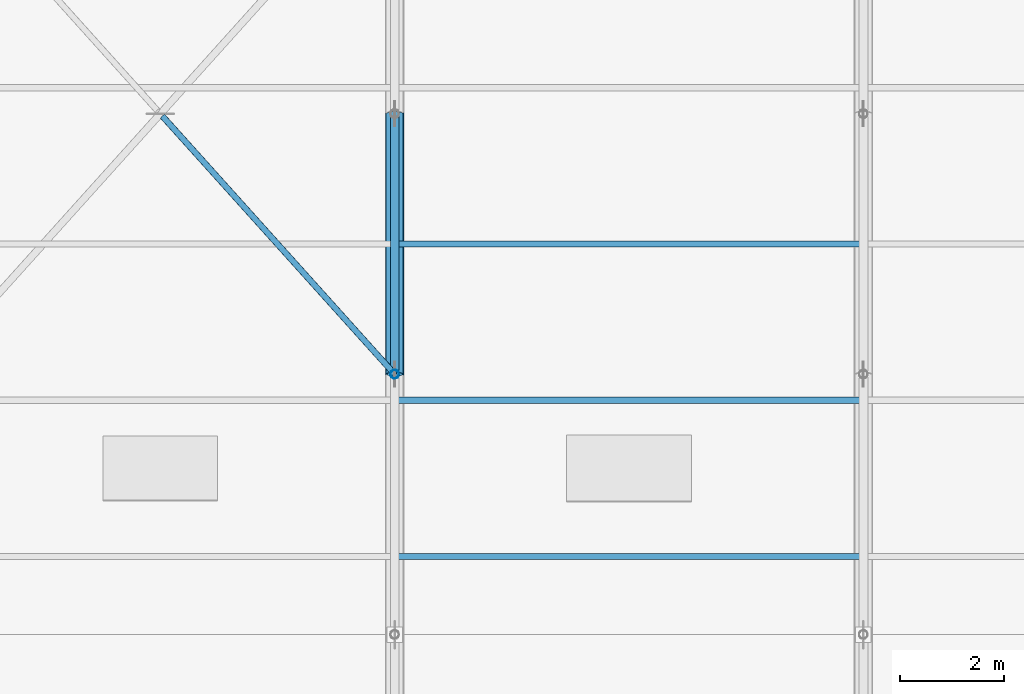
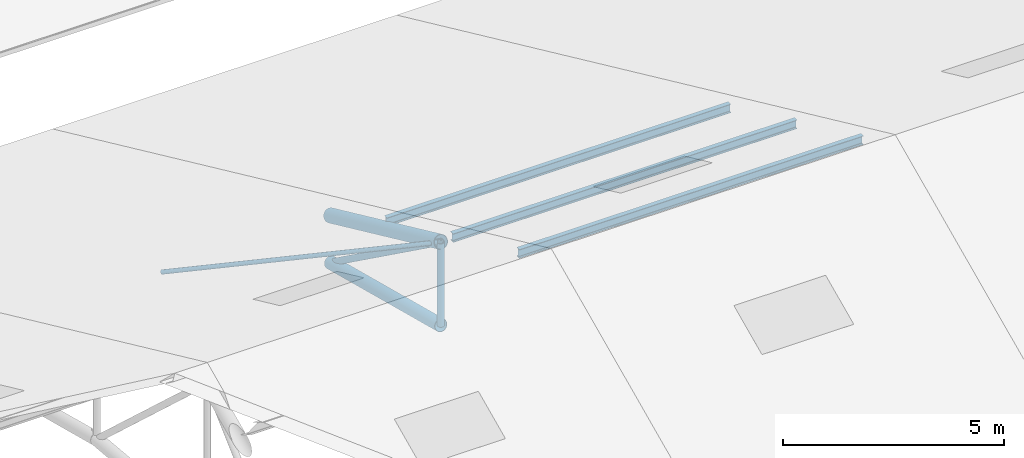
# One storey, part 23 of 107: 8 members.
"""IFC4 building model written with IfcOpenShell, lengths in metres."""

import ifcopenshell
import ifcopenshell.guid

model = None  # the IFC model being written
_history = None  # IfcOwnerHistory: only IFC2X3 demands one
_inside = {}  # id of a spatial element -> (the spatial element, [elements in it])
_under = {}  # id of a project, library or spatial element -> (it, [spatial elements below it])
_declared = {}  # id of a project -> (the project, [libraries it declares])
_typed = {}  # id of a type object -> (the type object, [elements of that type])
_made_of = {}  # id of a material, layer set ... -> (it, [elements and type objects made of it])


def new_model(schema):
    """Start an empty IFC model of exactly this schema.

    Asked for "IFC4X3", IfcOpenShell would pick the latest addendum, in which some entities
    have other attributes; the version numbers below select the first issue.
    IFC2X3 requires an IfcOwnerHistory on every rooted entity: one is made here for all.
    """
    global model, _history
    if schema == "IFC4X3":
        model = ifcopenshell.file(schema_version=(4, 3, 0, 0))
    else:
        model = ifcopenshell.file(schema=schema)
    _inside.clear()
    _under.clear()
    _declared.clear()
    _typed.clear()
    _made_of.clear()
    _history = None
    if model.schema == "IFC2X3":
        org = make("IfcOrganization", Name="unknown")
        user = make(
            "IfcPersonAndOrganization",
            ThePerson=make("IfcPerson", FamilyName="unknown"),
            TheOrganization=org,
        )
        app = make(
            "IfcApplication",
            ApplicationDeveloper=org,
            Version="unknown",
            ApplicationFullName="unknown",
            ApplicationIdentifier="unknown",
        )
        _history = make(
            "IfcOwnerHistory",
            OwningUser=user,
            OwningApplication=app,
            ChangeAction="ADDED",
            CreationDate=0,
        )
    return model


def make(cls, **values):
    """One entity of the class cls with the attributes given. An attribute that is None is left unset."""
    return model.create_entity(
        cls, **{name: value for name, value in values.items() if value is not None}
    )


def rooted(cls, **values):
    """An entity with a GlobalId (a new one), such as an element, a storey or a relation."""
    return make(cls, GlobalId=ifcopenshell.guid.new(), OwnerHistory=_history, **values)


def si_unit(unit_type, name, prefix=None):
    """IfcSIUnit, for example si_unit("LENGTHUNIT", "METRE", prefix="MILLI")."""
    return make("IfcSIUnit", UnitType=unit_type, Prefix=prefix, Name=name)


def derived_unit(unit_type, elements):
    """IfcDerivedUnit: a product of units, each with its exponent."""
    return make(
        "IfcDerivedUnit",
        Elements=[
            make("IfcDerivedUnitElement", Unit=unit, Exponent=power)
            for unit, power in elements
        ],
        UnitType=unit_type,
    )


def assignment(units):
    """IfcUnitAssignment: the units of a project."""
    return None if units is None else make("IfcUnitAssignment", Units=units)


def point(xyz):
    """IfcCartesianPoint."""
    return None if xyz is None else make("IfcCartesianPoint", Coordinates=xyz)


def direction(xyz):
    """IfcDirection."""
    return None if xyz is None else make("IfcDirection", DirectionRatios=xyz)


def frame(location, z_axis=None, x_axis=None):
    """IfcAxis2Placement3D, a coordinate frame: its origin and axes. An axis left out is left unset."""
    return make(
        "IfcAxis2Placement3D",
        Location=point(location),
        Axis=direction(z_axis),
        RefDirection=direction(x_axis),
    )


def frame_2d(location, x_axis=None):
    """IfcAxis2Placement2D, a coordinate frame in the plane: its origin and x axis."""
    return make(
        "IfcAxis2Placement2D", Location=point(location), RefDirection=direction(x_axis)
    )


def origin():
    """The frame at (0, 0, 0) with its axes left unset."""
    return frame((0.0, 0.0, 0.0))


def origin_2d():
    """The frame at (0, 0) in the plane with its x axis left unset."""
    return frame_2d((0.0, 0.0))


def place(relative_to, where):
    """IfcLocalPlacement: puts the frame where relative to a parent placement (None: the world)."""
    return make(
        "IfcLocalPlacement", PlacementRelTo=relative_to, RelativePlacement=where
    )


def context(
    kind, dimensions, precision=None, world=None, true_north=None, identifier=None
):
    """IfcGeometricRepresentationContext, for example the 3D "Model" context."""
    return make(
        "IfcGeometricRepresentationContext",
        ContextIdentifier=identifier,
        ContextType=kind,
        CoordinateSpaceDimension=dimensions,
        Precision=precision,
        WorldCoordinateSystem=world,
        TrueNorth=true_north,
    )


def subcontext(parent, identifier, kind, view, scale=None):
    """IfcGeometricRepresentationSubContext, for example "Body" below "Model"."""
    return make(
        "IfcGeometricRepresentationSubContext",
        ContextIdentifier=identifier,
        ContextType=kind,
        ParentContext=parent,
        TargetScale=scale,
        TargetView=view,
    )


def project(units=None, contexts=None):
    """IfcProject with its units and contexts."""
    return rooted(
        "IfcProject",
        Name="project",
        RepresentationContexts=contexts,
        UnitsInContext=assignment(units),
    )


def spatial(cls, under=None, at=None, **own):
    """A site, building, storey or space (cls), placed at a placement, below another one or the project."""
    s = rooted(cls, ObjectPlacement=at, **own)
    if under is not None:
        _under.setdefault(under.id(), (under, []))[1].append(s)
    return s


def profile(cls, at=None, kind="AREA", **sizes):
    """A parametric profile (cls). Its sizes go by their IFC names, for example OverallWidth=200.0."""
    return make(cls, ProfileType=kind, Position=at, **sizes)


def hollow_circle(**sizes):
    """IfcCircleHollowProfileDef."""
    return profile("IfcCircleHollowProfileDef", **sizes)


def i_section(**sizes):
    """IfcIShapeProfileDef."""
    return profile("IfcIShapeProfileDef", **sizes)


def extrude(swept, where, along, depth):
    """IfcExtrudedAreaSolid: the profile swept, set in the frame where, extruded along a direction by depth."""
    return make(
        "IfcExtrudedAreaSolid",
        SweptArea=swept,
        Position=where,
        ExtrudedDirection=direction(along),
        Depth=depth,
    )


def shape(context_of_items, identifier, shape_type, items):
    """IfcShapeRepresentation: the items that make up one representation, for example the "Body"."""
    return make(
        "IfcShapeRepresentation",
        ContextOfItems=context_of_items,
        RepresentationIdentifier=identifier,
        RepresentationType=shape_type,
        Items=items,
    )


def material(Name=None, Category=None):
    """IfcMaterial."""
    return make("IfcMaterial", Name=Name, Category=Category)


def material_profile(
    of_material, cross_section, Name=None, Category=None, Priority=None
):
    """IfcMaterialProfile: a cross section and its material."""
    return make(
        "IfcMaterialProfile",
        Name=Name,
        Material=of_material,
        Profile=cross_section,
        Priority=Priority,
        Category=Category,
    )


def profile_set(profiles, Name=None, composite=None):
    """IfcMaterialProfileSet."""
    return make(
        "IfcMaterialProfileSet",
        Name=Name,
        MaterialProfiles=profiles,
        CompositeProfile=composite,
    )


def made_of(thing, what):
    """Note that an element or type object is made of a material, layer set ...; save() writes the relation."""
    if what is not None:
        _made_of.setdefault(what.id(), (what, []))[1].append(thing)
    return thing


def type_object(cls, material=None, **own):
    """A type object (cls), such as IfcWallType, which elements share."""
    return made_of(rooted(cls, **own), material)


def element(
    cls,
    number,
    at=None,
    inside=None,
    cuts=None,
    type_object=None,
    material=None,
    context=None,
    identifier="Body",
    shape_type=None,
    held_by="IfcProductDefinitionShape",
    body=None,
    shapes=None,
    **own,
):
    """One element of the class cls, such as IfcWall. Its Tag is "e" and its number.

    at: its placement. inside: the storey or other place that contains it. cuts: it is an
    opening in that element (IfcRelVoidsElement). A single representation is given by context,
    identifier, shape_type and body (its items); several are given by shapes. held_by: the class
    of the entity that holds the representations. save() writes the other relations.
    """
    e = rooted(cls, Tag="e%d" % number, ObjectPlacement=at, **own)
    if body is not None:
        shapes = [shape(context, identifier, shape_type, body)]
    if shapes is not None:
        e.Representation = make(held_by, Representations=shapes)
    if inside is not None:
        _inside.setdefault(inside.id(), (inside, []))[1].append(e)
    if cuts is not None:
        rooted(
            "IfcRelVoidsElement", RelatingBuildingElement=cuts, RelatedOpeningElement=e
        )
    if type_object is not None:
        _typed.setdefault(type_object.id(), (type_object, []))[1].append(e)
    return made_of(e, material)


def aggregate(whole, parts):
    """IfcRelAggregates: a whole, such as a stair, and the parts it consists of."""
    return rooted("IfcRelAggregates", RelatingObject=whole, RelatedObjects=parts)


def save(model, path):
    """Write the relations noted so far, then the file.

    IfcRelAggregates (storeys below a building ...), IfcRelContainedInSpatialStructure (elements
    in a storey), IfcRelDefinesByType, IfcRelAssociatesMaterial and IfcRelDeclares: one each for
    every whole, place, type object, material and project.
    """
    for whole, parts in _under.values():
        aggregate(whole, parts)
    for where, things in _inside.values():
        rooted(
            "IfcRelContainedInSpatialStructure",
            RelatedElements=things,
            RelatingStructure=where,
        )
    for kind, things in _typed.values():
        rooted("IfcRelDefinesByType", RelatedObjects=things, RelatingType=kind)
    for what, things in _made_of.values():
        rooted("IfcRelAssociatesMaterial", RelatedObjects=things, RelatingMaterial=what)
    for by, libraries in _declared.values():
        rooted("IfcRelDeclares", RelatingContext=by, RelatedDefinitions=libraries)
    model.write(path)


model = new_model("IFC4")

# Units and contexts
model_context = context("Model", 3, precision=1e-05, world=origin(), true_north=direction((0.0, 1.0)))
body_context = subcontext(model_context, "Body", "Model", "MODEL_VIEW")
ifc_project = project(units=[si_unit("LENGTHUNIT", "METRE"), si_unit("AREAUNIT", "SQUARE_METRE"), si_unit("VOLUMEUNIT", "CUBIC_METRE"), si_unit("PLANEANGLEUNIT", "RADIAN"), si_unit("MASSUNIT", "GRAM", prefix="KILO"), si_unit("THERMODYNAMICTEMPERATUREUNIT", "KELVIN"), si_unit("TIMEUNIT", "SECOND"), derived_unit("THERMALTRANSMITTANCEUNIT", [(si_unit("MASSUNIT", "GRAM", prefix="KILO"), 1), (si_unit("THERMODYNAMICTEMPERATUREUNIT", "KELVIN"), -1), (si_unit("TIMEUNIT", "SECOND"), -3)])], contexts=[model_context])

# Site, building, storey
site_placement = place(None, origin())
site = spatial("IfcSite", under=ifc_project, at=site_placement, CompositionType="ELEMENT")
building_placement = place(site_placement, origin())
building = spatial("IfcBuilding", under=site, at=building_placement, Name="Cambertide Market Hall", CompositionType="ELEMENT")
storey_placement = place(building_placement, frame((0.0, 0.0, 18.300048828125)))
storey = spatial("IfcBuildingStorey", under=building, at=storey_placement, Name="RF", CompositionType="ELEMENT", Elevation=18.300048828125)

# Members
ifc_material_1 = material(Name="Steel S355", Category="steel")
ifc_material_profile_1 = material_profile(ifc_material_1, hollow_circle(Radius=0.161865234375, WallThickness=0.010009765625, at=origin_2d()), Name="CHS 323.9x10")
ifc_profile_set_1 = profile_set([ifc_material_profile_1], Name="Steel S355")
member_type_1 = type_object("IfcMemberType", Name="Arched Truss Chord CHS 323.9x10", PredefinedType="CHORD", material=ifc_profile_set_1)
member_1_placement = place(storey_placement, frame((78.0, 77.0, -4.955322265625), z_axis=(0.0, 0.968015607618, -0.250889982678), x_axis=(-1.0, 0.0, 0.0)))
element("IfcMember", 1, at=member_1_placement, inside=storey, type_object=member_type_1, Name="Roof Truss 5 Arched Bottom Chord 6", PredefinedType="CHORD", context=body_context, shape_type="SweptSolid", body=[
    extrude(hollow_circle(Radius=0.161865234375, WallThickness=0.010009765625, at=origin_2d()), origin(), (0.0, 0.0, 1.0), 5.165283203125),
])
ifc_material_2 = material(Name="Steel S355", Category="steel")
ifc_material_profile_2 = material_profile(ifc_material_2, hollow_circle(Radius=0.177734375, WallThickness=0.012451171875, at=origin_2d()), Name="CHS 355.6x12.5")
ifc_profile_set_2 = profile_set([ifc_material_profile_2], Name="Steel S355")
member_type_2 = type_object("IfcMemberType", Name="Arched Truss Chord CHS 355.6x12.5", PredefinedType="CHORD", material=ifc_profile_set_2)
member_2_placement = place(storey_placement, frame((78.0, 77.0, -2.650146484375), z_axis=(0.0, 0.908503925861, -0.417876317461), x_axis=(-1.0, 0.0, 0.0)))
element("IfcMember", 2, at=member_2_placement, inside=storey, type_object=member_type_2, Name="Roof Truss 5 Top Chord 6", PredefinedType="CHORD", context=body_context, shape_type="SweptSolid", body=[
    extrude(hollow_circle(Radius=0.177734375, WallThickness=0.012451171875, at=origin_2d()), origin(), (0.0, 0.0, 1.0), 5.503662109375),
])
ifc_material_3 = material(Name="Steel S275", Category="steel")
ifc_material_profile_3 = material_profile(ifc_material_3, i_section(OverallWidth=0.1201171875, OverallDepth=0.239990234375, WebThickness=0.006103515625, FlangeThickness=0.009765625, FilletRadius=0.014892578125, at=origin_2d()), Name="IPE 240")
ifc_profile_set_3 = profile_set([ifc_material_profile_3], Name="Steel S275")
member_type_3 = type_object("IfcMemberType", Name="Roof Purlin IPE 240", PredefinedType="PURLIN", material=ifc_profile_set_3)
for number, where, z_axis, x_axis, name in (
    (3, (78.0, 73.5, -0.830078125), (1.0, 0.0, 0.0), (0.0, 1.0, 0.0), "Barrel Roof Purlin 5-09"),
    (4, (78.0, 76.5, -2.2099609375), (1.0, 0.0, 0.0), (0.0, 1.0, 0.0), "Barrel Roof Purlin 5-10"),
    (5, (78.0, 79.5, -3.590087890625), (1.0, 0.0, 0.0), (0.0, 1.0, 0.0), "Barrel Roof Purlin 5-11"),
):
    element("IfcMember", number, at=place(storey_placement, frame(where, z_axis=z_axis, x_axis=x_axis)), inside=storey, type_object=member_type_3, Name=name, PredefinedType="PURLIN", context=body_context, shape_type="SweptSolid", body=[
        extrude(i_section(OverallWidth=0.1201171875, OverallDepth=0.239990234375, WebThickness=0.006103515625, FlangeThickness=0.009765625, FilletRadius=0.014892578125, at=origin_2d()), origin(), (0.0, 0.0, 1.0), 9.0),
    ])
ifc_material_4 = material(Name="Steel S275", Category="steel")
ifc_material_profile_4 = material_profile(ifc_material_4, hollow_circle(Radius=0.05712890625, WallThickness=0.0048828125, at=origin_2d()), Name="CHS 114.3x5")
ifc_profile_set_4 = profile_set([ifc_material_profile_4], Name="Steel S275")
member_type_4 = type_object("IfcMemberType", Name="Structural Brace CHS 114.3x5", PredefinedType="BRACE", material=ifc_profile_set_4)
member_3_placement = place(storey_placement, frame((78.0, 77.0, -2.650146484375), z_axis=(-0.632999690254, 0.703313698634, -0.323513884481), x_axis=(-0.743285022771, -0.66897486868, 0.0)))
element("IfcMember", 6, at=member_3_placement, inside=storey, type_object=member_type_4, Name="Roof Wind X-Brace Split Segment 4-N2A", PredefinedType="BRACE", context=body_context, shape_type="SweptSolid", body=[
    extrude(hollow_circle(Radius=0.05712890625, WallThickness=0.0048828125, at=origin_2d()), origin(), (0.0, 0.0, 1.0), 7.031005859375),
])
ifc_material_5 = material(Name="Steel S355", Category="steel")
ifc_material_profile_5 = material_profile(ifc_material_5, hollow_circle(Radius=0.084228515625, WallThickness=0.00634765625, at=origin_2d()), Name="CHS 168.3x6.3")
ifc_profile_set_5 = profile_set([ifc_material_profile_5], Name="Steel S355")
member_type_5 = type_object("IfcMemberType", Name="Structural Brace CHS 168.3x6.3", PredefinedType="BRACE", material=ifc_profile_set_5)
member_4_placement = place(storey_placement, frame((78.0, 77.0, -2.650146484375), z_axis=(0.0, 0.811451666424, -0.584419535144), x_axis=(-1.0, 0.0, 0.0)))
element("IfcMember", 7, at=member_4_placement, inside=storey, type_object=member_type_5, Name="Roof Truss 5 Web Diagonal 6", PredefinedType="BRACE", context=body_context, shape_type="SweptSolid", body=[
    extrude(hollow_circle(Radius=0.084228515625, WallThickness=0.00634765625, at=origin_2d()), origin(), (0.0, 0.0, 1.0), 6.161865234375),
])
member_5_placement = place(storey_placement, frame((78.0, 77.0, -4.955322265625), z_axis=(0.0, 0.0, 1.0), x_axis=(1.0, 0.0, 0.0)))
element("IfcMember", 8, at=member_5_placement, inside=storey, type_object=member_type_5, Name="Roof Truss 5 Web Post 6", PredefinedType="BRACE", context=body_context, shape_type="SweptSolid", body=[
    extrude(hollow_circle(Radius=0.084228515625, WallThickness=0.00634765625, at=origin_2d()), origin(), (0.0, 0.0, 1.0), 2.30517578125),
])

save(model, "model.ifc")
